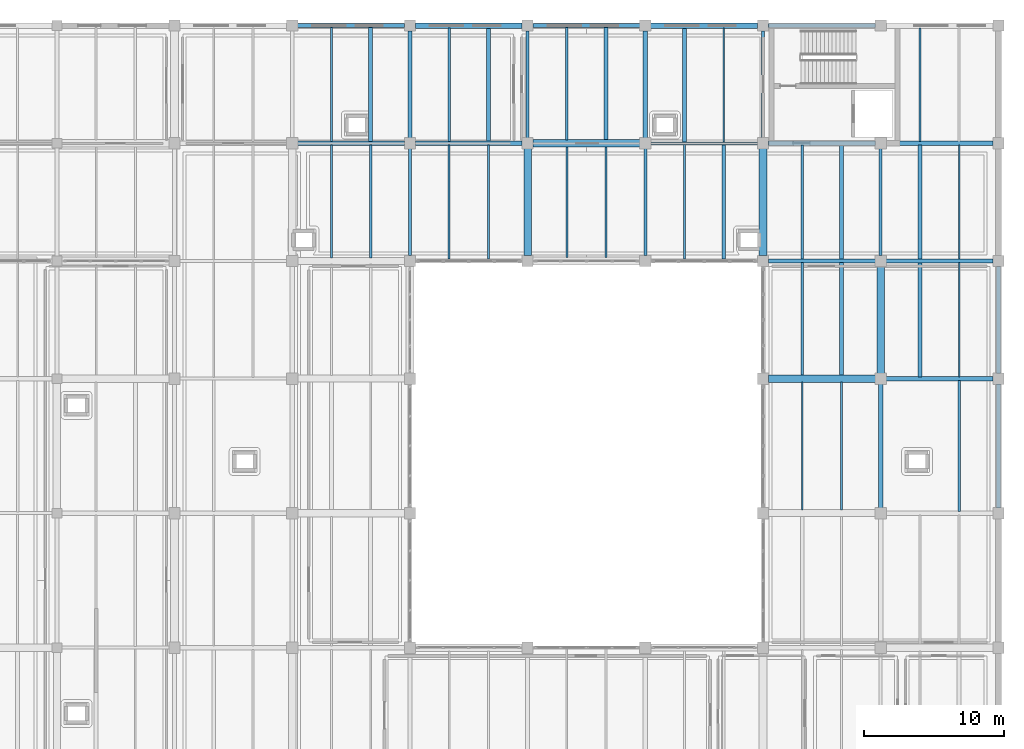
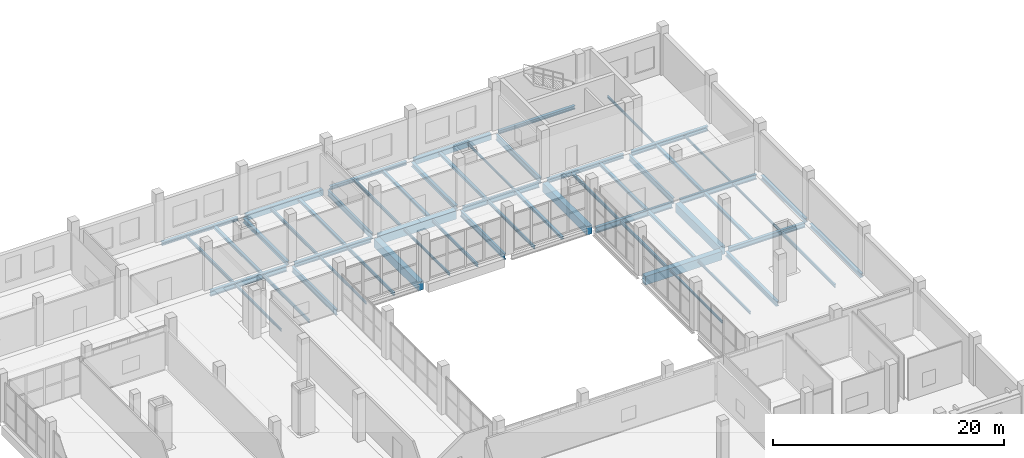
# One storey, part 46 of 73: 56 beams.
"""IFC4 building model written with IfcOpenShell, lengths in metres."""

from ifc_helpers import new_model, si_unit, direction, frame, origin, origin_2d, place, context, subcontext, project, spatial, rectangle, i_section, extrude, material, material_profile, profile_set, type_object, element, save


model = new_model("IFC4")

# Units and contexts
model_context = context("Model", 3, precision=1e-05, world=origin(), true_north=direction((0.0, 1.0)))
body_context = subcontext(model_context, "Body", "Model", "MODEL_VIEW")
ifc_project = project(units=[si_unit("LENGTHUNIT", "METRE"), si_unit("AREAUNIT", "SQUARE_METRE"), si_unit("VOLUMEUNIT", "CUBIC_METRE"), si_unit("PLANEANGLEUNIT", "RADIAN"), si_unit("MASSUNIT", "GRAM", prefix="KILO")], contexts=[model_context])

# Site, building, storey
site_placement = place(None, origin())
site = spatial("IfcSite", under=ifc_project, at=site_placement, CompositionType="ELEMENT")
building_placement = place(site_placement, origin())
building = spatial("IfcBuilding", under=site, at=building_placement, Name="Zulmaris Art Gallery", CompositionType="ELEMENT")
storey_placement = place(building_placement, frame((0.0, 0.0, 10.5)))
storey = spatial("IfcBuildingStorey", under=building, at=storey_placement, Name="L02", CompositionType="ELEMENT", Elevation=10.5)

# Beams
ifc_material_1 = material(Name="Steel S355J2", Category="steel")
ifc_material_profile_1 = material_profile(ifc_material_1, i_section(OverallWidth=0.219970703125, OverallDepth=0.60009765625, WebThickness=0.011962890625, FlangeThickness=0.01904296875, FilletRadius=0.02392578125, at=origin_2d()), Name="IPE 600")
ifc_profile_set_1 = profile_set([ifc_material_profile_1], Name="Steel S355J2")
beam_type_1 = type_object("IfcBeamType", Name="BEAM-BM07", PredefinedType="BEAM", material=ifc_profile_set_1)
beam_1_placement = place(storey_placement, frame((175.5849609375, 67.199951171875, -0.699951171875), z_axis=(1.0, 0.0, 0.0), x_axis=(0.0, 1.0, 0.0)))
element("IfcBeam", 1, at=beam_1_placement, inside=storey, type_object=beam_type_1, Name="L02 X-girder (175.2..183.6, y=67.2)", PredefinedType="BEAM", context=body_context, shape_type="SweptSolid", body=[
    extrude(i_section(OverallWidth=0.219970703125, OverallDepth=0.60009765625, WebThickness=0.011962890625, FlangeThickness=0.01904296875, FilletRadius=0.02392578125, at=origin_2d()), origin(), (0.0, 0.0, 1.0), 7.630126953125),
])
beam_2_placement = place(storey_placement, frame((158.39990234375, 59.18505859375, -0.699951171875), z_axis=(0.0, 1.0, 0.0), x_axis=(-1.0, 0.0, 0.0)))
element("IfcBeam", 2, at=beam_2_placement, inside=storey, type_object=beam_type_1, Name="L02 Y-girder (x=158.4, 58.8..67.2)", PredefinedType="BEAM", context=body_context, shape_type="SweptSolid", body=[
    extrude(i_section(OverallWidth=0.219970703125, OverallDepth=0.60009765625, WebThickness=0.011962890625, FlangeThickness=0.01904296875, FilletRadius=0.02392578125, at=origin_2d()), origin(), (0.0, 0.0, 1.0), 7.6298828125),
])
beam_3_placement = place(storey_placement, frame((166.800048828125, 67.5849609375, -0.699951171875), z_axis=(0.0, 1.0, 0.0), x_axis=(-1.0, 0.0, 0.0)))
element("IfcBeam", 3, at=beam_3_placement, inside=storey, type_object=beam_type_1, Name="L02 Y-girder (x=166.8, 67.2..75.6)", PredefinedType="BEAM", context=body_context, shape_type="SweptSolid", body=[
    extrude(i_section(OverallWidth=0.219970703125, OverallDepth=0.60009765625, WebThickness=0.011962890625, FlangeThickness=0.01904296875, FilletRadius=0.02392578125, at=origin_2d()), origin(), (0.0, 0.0, 1.0), 7.630126953125),
])
beam_4_placement = place(storey_placement, frame((175.199951171875, 59.18505859375, -0.699951171875), z_axis=(0.0, 1.0, 0.0), x_axis=(-1.0, 0.0, 0.0)))
element("IfcBeam", 4, at=beam_4_placement, inside=storey, type_object=beam_type_1, Name="L02 Y-girder (x=175.2, 58.8..67.2)", PredefinedType="BEAM", context=body_context, shape_type="SweptSolid", body=[
    extrude(i_section(OverallWidth=0.219970703125, OverallDepth=0.60009765625, WebThickness=0.011962890625, FlangeThickness=0.01904296875, FilletRadius=0.02392578125, at=origin_2d()), origin(), (0.0, 0.0, 1.0), 7.6298828125),
])
beam_5_placement = place(storey_placement, frame((183.60009765625, 67.5849609375, -0.695068359375), z_axis=(0.0, 1.0, 0.0), x_axis=(-1.0, 0.0, 0.0)))
element("IfcBeam", 5, at=beam_5_placement, inside=storey, type_object=beam_type_1, Name="L02 Y-girder (x=183.6, 67.2..75.6)", PredefinedType="BEAM", context=body_context, shape_type="SweptSolid", body=[
    extrude(i_section(OverallWidth=0.219970703125, OverallDepth=0.60009765625, WebThickness=0.011962890625, FlangeThickness=0.01904296875, FilletRadius=0.02392578125, at=origin_2d()), origin(), (0.0, 0.0, 1.0), 7.630126953125),
])
beam_6_placement = place(storey_placement, frame((192.0, 59.18505859375, -0.695068359375), z_axis=(0.0, 1.0, 0.0), x_axis=(-1.0, 0.0, 0.0)))
element("IfcBeam", 6, at=beam_6_placement, inside=storey, type_object=beam_type_1, Name="L02 Y-girder (x=192.0, 58.8..67.2)", PredefinedType="BEAM", context=body_context, shape_type="SweptSolid", body=[
    extrude(i_section(OverallWidth=0.219970703125, OverallDepth=0.60009765625, WebThickness=0.011962890625, FlangeThickness=0.01904296875, FilletRadius=0.02392578125, at=origin_2d()), origin(), (0.0, 0.0, 1.0), 7.6298828125),
])
ifc_material_profile_2 = material_profile(ifc_material_1, i_section(OverallWidth=0.300048828125, OverallDepth=0.43994140625, WebThickness=0.011474609375, FlangeThickness=0.02099609375, FilletRadius=0.027099609375, at=origin_2d()), Name="HEA 450")
ifc_profile_set_2 = profile_set([ifc_material_profile_2], Name="Steel S355J2")
beam_type_2 = type_object("IfcBeamType", Name="BEAM-BM10", PredefinedType="BEAM", material=ifc_profile_set_2)
beam_7_placement = place(storey_placement, frame((183.985107421875, 67.199951171875, -0.6201171875), z_axis=(1.0, 0.0, 0.0), x_axis=(0.0, 1.0, 0.0)))
element("IfcBeam", 7, at=beam_7_placement, inside=storey, type_object=beam_type_2, Name="L02 X-girder (183.6..192.0, y=67.2)", PredefinedType="BEAM", context=body_context, shape_type="SweptSolid", body=[
    extrude(i_section(OverallWidth=0.300048828125, OverallDepth=0.43994140625, WebThickness=0.011474609375, FlangeThickness=0.02099609375, FilletRadius=0.027099609375, at=origin_2d()), origin(), (0.0, 0.0, 1.0), 7.6298828125),
])
for number, where, z_axis, x_axis, name in (
    (8, (158.39990234375, 67.5849609375, -0.6201171875), (0.0, 1.0, 0.0), (-1.0, 0.0, 0.0), "L02 Y-girder (x=158.4, 67.2..75.6)"),
    (9, (175.199951171875, 67.5849609375, -0.6201171875), (0.0, 1.0, 0.0), (-1.0, 0.0, 0.0), "L02 Y-girder (x=175.2, 67.2..75.6)"),
):
    element("IfcBeam", number, at=place(storey_placement, frame(where, z_axis=z_axis, x_axis=x_axis)), inside=storey, type_object=beam_type_2, Name=name, PredefinedType="BEAM", context=body_context, shape_type="SweptSolid", body=[
        extrude(i_section(OverallWidth=0.300048828125, OverallDepth=0.43994140625, WebThickness=0.011474609375, FlangeThickness=0.02099609375, FilletRadius=0.027099609375, at=origin_2d()), origin(), (0.0, 0.0, 1.0), 7.630126953125),
    ])
ifc_material_profile_3 = material_profile(ifc_material_1, i_section(OverallWidth=0.300048828125, OverallDepth=0.489990234375, WebThickness=0.011962890625, FlangeThickness=0.02294921875, FilletRadius=0.027099609375, at=origin_2d()), Name="HEA 500")
ifc_profile_set_3 = profile_set([ifc_material_profile_3], Name="Steel S355J2")
beam_type_3 = type_object("IfcBeamType", Name="BEAM-BM11", PredefinedType="BEAM", material=ifc_profile_set_3)
beam_8_placement = place(storey_placement, frame((192.385009765625, 50.39990234375, -0.64501953125), z_axis=(1.0, 0.0, 0.0), x_axis=(0.0, 1.0, 0.0)))
element("IfcBeam", 10, at=beam_8_placement, inside=storey, type_object=beam_type_3, Name="L02 X-girder (192.0..200.4, y=50.4)", PredefinedType="BEAM", context=body_context, shape_type="SweptSolid", body=[
    extrude(i_section(OverallWidth=0.300048828125, OverallDepth=0.489990234375, WebThickness=0.011962890625, FlangeThickness=0.02294921875, FilletRadius=0.027099609375, at=origin_2d()), origin(), (0.0, 0.0, 1.0), 7.6298828125),
])
ifc_material_profile_4 = material_profile(ifc_material_1, i_section(OverallWidth=0.300048828125, OverallDepth=0.5, WebThickness=0.014404296875, FlangeThickness=0.028076171875, FilletRadius=0.027099609375, at=origin_2d()), Name="HEB 500")
ifc_profile_set_4 = profile_set([ifc_material_profile_4], Name="Steel S355J2")
beam_type_4 = type_object("IfcBeamType", Name="BEAM-BM14", PredefinedType="BEAM", material=ifc_profile_set_4)
beam_9_placement = place(storey_placement, frame((192.385009765625, 58.800048828125, -0.64501953125), z_axis=(1.0, 0.0, 0.0), x_axis=(0.0, 1.0, 0.0)))
element("IfcBeam", 11, at=beam_9_placement, inside=storey, type_object=beam_type_4, Name="L02 X-girder (192.0..200.4, y=58.8)", PredefinedType="BEAM", context=body_context, shape_type="SweptSolid", body=[
    extrude(i_section(OverallWidth=0.300048828125, OverallDepth=0.5, WebThickness=0.014404296875, FlangeThickness=0.028076171875, FilletRadius=0.027099609375, at=origin_2d()), origin(), (0.0, 0.0, 1.0), 7.6298828125),
])
beam_10_placement = place(storey_placement, frame((158.784912109375, 67.199951171875, -0.64501953125), z_axis=(1.0, 0.0, 0.0), x_axis=(0.0, 1.0, 0.0)))
element("IfcBeam", 12, at=beam_10_placement, inside=storey, type_object=beam_type_4, Name="L02 X-girder (158.4..166.8, y=67.2)", PredefinedType="BEAM", context=body_context, shape_type="SweptSolid", body=[
    extrude(i_section(OverallWidth=0.300048828125, OverallDepth=0.5, WebThickness=0.014404296875, FlangeThickness=0.028076171875, FilletRadius=0.027099609375, at=origin_2d()), origin(), (0.0, 0.0, 1.0), 7.630126953125),
])
beam_11_placement = place(storey_placement, frame((192.385009765625, 67.199951171875, -0.64990234375), z_axis=(1.0, 0.0, 0.0), x_axis=(0.0, 1.0, 0.0)))
element("IfcBeam", 13, at=beam_11_placement, inside=storey, type_object=beam_type_4, Name="L02 X-girder (192.0..200.4, y=67.2)", PredefinedType="BEAM", context=body_context, shape_type="SweptSolid", body=[
    extrude(i_section(OverallWidth=0.300048828125, OverallDepth=0.5, WebThickness=0.014404296875, FlangeThickness=0.028076171875, FilletRadius=0.027099609375, at=origin_2d()), origin(), (0.0, 0.0, 1.0), 7.6298828125),
])
beam_12_placement = place(storey_placement, frame((192.0, 41.18505859375, -0.64990234375), z_axis=(0.0, 1.0, 0.0), x_axis=(-1.0, 0.0, 0.0)))
element("IfcBeam", 14, at=beam_12_placement, inside=storey, type_object=beam_type_4, Name="L02 Y-girder (x=192.0, 40.8..50.4)", PredefinedType="BEAM", context=body_context, shape_type="SweptSolid", body=[
    extrude(i_section(OverallWidth=0.300048828125, OverallDepth=0.5, WebThickness=0.014404296875, FlangeThickness=0.028076171875, FilletRadius=0.027099609375, at=origin_2d()), origin(), (0.0, 0.0, 1.0), 8.829833984375),
])
ifc_material_profile_5 = material_profile(ifc_material_1, i_section(OverallWidth=0.300048828125, OverallDepth=0.60009765625, WebThickness=0.015380859375, FlangeThickness=0.030029296875, FilletRadius=0.027099609375, at=origin_2d()), Name="HEB 600")
ifc_profile_set_5 = profile_set([ifc_material_profile_5], Name="Steel S355J2")
beam_type_5 = type_object("IfcBeamType", Name="BEAM-BM15", PredefinedType="BEAM", material=ifc_profile_set_5)
for number, where, z_axis, x_axis, name in (
    (15, (183.985107421875, 58.800048828125, -0.699951171875), (1.0, 0.0, 0.0), (0.0, 1.0, 0.0), "L02 X-girder (183.6..192.0, y=58.8)"),
    (16, (150.385009765625, 67.199951171875, -0.699951171875), (1.0, 0.0, 0.0), (0.0, 1.0, 0.0), "L02 X-girder (150.0..158.4, y=67.2)"),
):
    element("IfcBeam", number, at=place(storey_placement, frame(where, z_axis=z_axis, x_axis=x_axis)), inside=storey, type_object=beam_type_5, Name=name, PredefinedType="BEAM", context=body_context, shape_type="SweptSolid", body=[
        extrude(i_section(OverallWidth=0.300048828125, OverallDepth=0.60009765625, WebThickness=0.015380859375, FlangeThickness=0.030029296875, FilletRadius=0.027099609375, at=origin_2d()), origin(), (0.0, 0.0, 1.0), 7.6298828125),
    ])
ifc_material_2 = material(Name="Concrete C40/50", Category="concrete")
ifc_material_profile_6 = material_profile(ifc_material_2, rectangle(XDim=0.550048828125, YDim=0.89990234375, at=origin_2d()), Name="RC 550x900")
ifc_profile_set_6 = profile_set([ifc_material_profile_6], Name="Concrete C40/50")
beam_type_6 = type_object("IfcBeamType", Name="BEAM-BM21", PredefinedType="BEAM", material=ifc_profile_set_6)
for number, where, z_axis, x_axis, name in (
    (17, (183.985107421875, 50.39990234375, -0.85009765625), (1.0, 0.0, 0.0), (0.0, 1.0, 0.0), "L02 X-girder (183.6..192.0, y=50.4)"),
    (18, (167.18505859375, 67.199951171875, -0.85009765625), (1.0, 0.0, 0.0), (0.0, 1.0, 0.0), "L02 X-girder (166.8..175.2, y=67.2)"),
    (19, (166.800048828125, 59.18505859375, -0.85009765625), (0.0, 1.0, 0.0), (-1.0, 0.0, 0.0), "L02 Y-girder (x=166.8, 58.8..67.2)"),
    (20, (183.60009765625, 59.18505859375, -0.85009765625), (0.0, 1.0, 0.0), (-1.0, 0.0, 0.0), "L02 Y-girder (x=183.6, 58.8..67.2)"),
):
    element("IfcBeam", number, at=place(storey_placement, frame(where, z_axis=z_axis, x_axis=x_axis)), inside=storey, type_object=beam_type_6, Name=name, PredefinedType="BEAM", context=body_context, shape_type="SweptSolid", body=[
        extrude(rectangle(XDim=0.550048828125, YDim=0.89990234375, at=origin_2d()), origin(), (0.0, 0.0, 1.0), 7.6298828125),
    ])
beam_13_placement = place(storey_placement, frame((192.0, 50.784912109375, -0.85009765625), z_axis=(0.0, 1.0, 0.0), x_axis=(-1.0, 0.0, 0.0)))
element("IfcBeam", 21, at=beam_13_placement, inside=storey, type_object=beam_type_6, Name="L02 Y-girder (x=192.0, 50.4..58.8)", PredefinedType="BEAM", context=body_context, shape_type="SweptSolid", body=[
    extrude(rectangle(XDim=0.550048828125, YDim=0.89990234375, at=origin_2d()), origin(), (0.0, 0.0, 1.0), 7.630126953125),
])
ifc_material_profile_7 = material_profile(ifc_material_1, i_section(OverallWidth=0.1201171875, OverallDepth=0.239990234375, WebThickness=0.006103515625, FlangeThickness=0.009765625, FilletRadius=0.014892578125, at=origin_2d()), Name="IPE 240")
ifc_profile_set_7 = profile_set([ifc_material_profile_7], Name="Steel S355J2")
beam_type_7 = type_object("IfcBeamType", Name="BEAM-JS01", PredefinedType="JOIST", material=ifc_profile_set_7)
beam_14_placement = place(storey_placement, frame((180.800048828125, 67.284912109375, -0.52001953125), z_axis=(0.0, 1.0, 0.0), x_axis=(-1.0, 0.0, 0.0)))
element("IfcBeam", 22, at=beam_14_placement, inside=storey, type_object=beam_type_7, Name="L02 secondary joist at x=180.8", PredefinedType="JOIST", context=body_context, shape_type="SweptSolid", body=[
    extrude(i_section(OverallWidth=0.1201171875, OverallDepth=0.239990234375, WebThickness=0.006103515625, FlangeThickness=0.009765625, FilletRadius=0.014892578125, at=origin_2d()), origin(), (0.0, 0.0, 1.0), 8.14013671875),
])
beam_15_placement = place(storey_placement, frame((186.39990234375, 41.02490234375, -0.52001953125), z_axis=(0.0, 1.0, 0.0), x_axis=(-1.0, 0.0, 0.0)))
element("IfcBeam", 23, at=beam_15_placement, inside=storey, type_object=beam_type_7, Name="L02 secondary joist at x=186.4", PredefinedType="JOIST", context=body_context, shape_type="SweptSolid", body=[
    extrude(i_section(OverallWidth=0.1201171875, OverallDepth=0.239990234375, WebThickness=0.006103515625, FlangeThickness=0.009765625, FilletRadius=0.014892578125, at=origin_2d()), origin(), (0.0, 0.0, 1.0), 9.125),
])
beam_16_placement = place(storey_placement, frame((197.60009765625, 50.52490234375, -0.52001953125), z_axis=(0.0, 1.0, 0.0), x_axis=(-1.0, 0.0, 0.0)))
element("IfcBeam", 24, at=beam_16_placement, inside=storey, type_object=beam_type_7, Name="L02 secondary joist at x=197.6", PredefinedType="JOIST", context=body_context, shape_type="SweptSolid", body=[
    extrude(i_section(OverallWidth=0.1201171875, OverallDepth=0.239990234375, WebThickness=0.006103515625, FlangeThickness=0.009765625, FilletRadius=0.014892578125, at=origin_2d()), origin(), (0.0, 0.0, 1.0), 8.150146484375),
])
beam_17_placement = place(storey_placement, frame((197.60009765625, 58.925048828125, -0.52001953125), z_axis=(0.0, 1.0, 0.0), x_axis=(-1.0, 0.0, 0.0)))
element("IfcBeam", 25, at=beam_17_placement, inside=storey, type_object=beam_type_7, Name="L02 secondary joist at x=197.6", PredefinedType="JOIST", context=body_context, shape_type="SweptSolid", body=[
    extrude(i_section(OverallWidth=0.1201171875, OverallDepth=0.239990234375, WebThickness=0.006103515625, FlangeThickness=0.009765625, FilletRadius=0.014892578125, at=origin_2d()), origin(), (0.0, 0.0, 1.0), 8.14990234375),
])
beam_18_placement = place(storey_placement, frame((194.800048828125, 67.324951171875, -0.52001953125), z_axis=(0.0, 1.0, 0.0), x_axis=(-1.0, 0.0, 0.0)))
element("IfcBeam", 26, at=beam_18_placement, inside=storey, type_object=beam_type_7, Name="L02 secondary joist at x=194.8", PredefinedType="JOIST", context=body_context, shape_type="SweptSolid", body=[
    extrude(i_section(OverallWidth=0.1201171875, OverallDepth=0.239990234375, WebThickness=0.006103515625, FlangeThickness=0.009765625, FilletRadius=0.014892578125, at=origin_2d()), origin(), (0.0, 0.0, 1.0), 8.10009765625),
])
ifc_material_profile_8 = material_profile(ifc_material_1, i_section(OverallWidth=0.135009765625, OverallDepth=0.27001953125, WebThickness=0.006591796875, FlangeThickness=0.01025390625, FilletRadius=0.014892578125, at=origin_2d()), Name="IPE 270")
ifc_profile_set_8 = profile_set([ifc_material_profile_8], Name="Steel S355J2")
beam_type_8 = type_object("IfcBeamType", Name="BEAM-JS02", PredefinedType="JOIST", material=ifc_profile_set_8)
beam_19_placement = place(storey_placement, frame((152.800048828125, 59.02490234375, -0.534912109375), z_axis=(0.0, 1.0, 0.0), x_axis=(-1.0, 0.0, 0.0)))
element("IfcBeam", 27, at=beam_19_placement, inside=storey, type_object=beam_type_8, Name="L02 secondary joist at x=152.8", PredefinedType="JOIST", context=body_context, shape_type="SweptSolid", body=[
    extrude(i_section(OverallWidth=0.135009765625, OverallDepth=0.27001953125, WebThickness=0.006591796875, FlangeThickness=0.01025390625, FilletRadius=0.014892578125, at=origin_2d()), origin(), (0.0, 0.0, 1.0), 8.050048828125),
])
beam_20_placement = place(storey_placement, frame((161.199951171875, 58.925048828125, -0.534912109375), z_axis=(0.0, 1.0, 0.0), x_axis=(-1.0, 0.0, 0.0)))
element("IfcBeam", 28, at=beam_20_placement, inside=storey, type_object=beam_type_8, Name="L02 secondary joist at x=161.2", PredefinedType="JOIST", context=body_context, shape_type="SweptSolid", body=[
    extrude(i_section(OverallWidth=0.135009765625, OverallDepth=0.27001953125, WebThickness=0.006591796875, FlangeThickness=0.01025390625, FilletRadius=0.014892578125, at=origin_2d()), origin(), (0.0, 0.0, 1.0), 8.14990234375),
])
beam_21_placement = place(storey_placement, frame((169.60009765625, 59.050048828125, -0.534912109375), z_axis=(0.0, 1.0, 0.0), x_axis=(-1.0, 0.0, 0.0)))
element("IfcBeam", 29, at=beam_21_placement, inside=storey, type_object=beam_type_8, Name="L02 secondary joist at x=169.6", PredefinedType="JOIST", context=body_context, shape_type="SweptSolid", body=[
    extrude(i_section(OverallWidth=0.135009765625, OverallDepth=0.27001953125, WebThickness=0.006591796875, FlangeThickness=0.01025390625, FilletRadius=0.014892578125, at=origin_2d()), origin(), (0.0, 0.0, 1.0), 7.89990234375),
])
beam_22_placement = place(storey_placement, frame((189.199951171875, 41.02490234375, -0.534912109375), z_axis=(0.0, 1.0, 0.0), x_axis=(-1.0, 0.0, 0.0)))
element("IfcBeam", 30, at=beam_22_placement, inside=storey, type_object=beam_type_8, Name="L02 secondary joist at x=189.2", PredefinedType="JOIST", context=body_context, shape_type="SweptSolid", body=[
    extrude(i_section(OverallWidth=0.135009765625, OverallDepth=0.27001953125, WebThickness=0.006591796875, FlangeThickness=0.01025390625, FilletRadius=0.014892578125, at=origin_2d()), origin(), (0.0, 0.0, 1.0), 9.125),
])
ifc_material_profile_9 = material_profile(ifc_material_1, i_section(OverallWidth=0.159912109375, OverallDepth=0.330078125, WebThickness=0.007568359375, FlangeThickness=0.011474609375, FilletRadius=0.01806640625, at=origin_2d()), Name="IPE 330")
ifc_profile_set_9 = profile_set([ifc_material_profile_9], Name="Steel S355J2")
beam_type_9 = type_object("IfcBeamType", Name="BEAM-JS03", PredefinedType="JOIST", material=ifc_profile_set_9)
beam_23_placement = place(storey_placement, frame((155.60009765625, 59.02490234375, -0.56494140625), z_axis=(0.0, 1.0, 0.0), x_axis=(-1.0, 0.0, 0.0)))
element("IfcBeam", 31, at=beam_23_placement, inside=storey, type_object=beam_type_9, Name="L02 secondary joist at x=155.6", PredefinedType="JOIST", context=body_context, shape_type="SweptSolid", body=[
    extrude(i_section(OverallWidth=0.159912109375, OverallDepth=0.330078125, WebThickness=0.007568359375, FlangeThickness=0.011474609375, FilletRadius=0.01806640625, at=origin_2d()), origin(), (0.0, 0.0, 1.0), 8.050048828125),
])
beam_24_placement = place(storey_placement, frame((152.800048828125, 67.324951171875, -0.56494140625), z_axis=(0.0, 1.0, 0.0), x_axis=(-1.0, 0.0, 0.0)))
element("IfcBeam", 32, at=beam_24_placement, inside=storey, type_object=beam_type_9, Name="L02 secondary joist at x=152.8", PredefinedType="JOIST", context=body_context, shape_type="SweptSolid", body=[
    extrude(i_section(OverallWidth=0.159912109375, OverallDepth=0.330078125, WebThickness=0.007568359375, FlangeThickness=0.011474609375, FilletRadius=0.01806640625, at=origin_2d()), origin(), (0.0, 0.0, 1.0), 8.150146484375),
])
beam_25_placement = place(storey_placement, frame((164.0, 58.925048828125, -0.56494140625), z_axis=(0.0, 1.0, 0.0), x_axis=(-1.0, 0.0, 0.0)))
element("IfcBeam", 33, at=beam_25_placement, inside=storey, type_object=beam_type_9, Name="L02 secondary joist at x=164.0", PredefinedType="JOIST", context=body_context, shape_type="SweptSolid", body=[
    extrude(i_section(OverallWidth=0.159912109375, OverallDepth=0.330078125, WebThickness=0.007568359375, FlangeThickness=0.011474609375, FilletRadius=0.01806640625, at=origin_2d()), origin(), (0.0, 0.0, 1.0), 8.14990234375),
])
beam_26_placement = place(storey_placement, frame((161.199951171875, 67.324951171875, -0.56494140625), z_axis=(0.0, 1.0, 0.0), x_axis=(-1.0, 0.0, 0.0)))
element("IfcBeam", 34, at=beam_26_placement, inside=storey, type_object=beam_type_9, Name="L02 secondary joist at x=161.2", PredefinedType="JOIST", context=body_context, shape_type="SweptSolid", body=[
    extrude(i_section(OverallWidth=0.159912109375, OverallDepth=0.330078125, WebThickness=0.007568359375, FlangeThickness=0.011474609375, FilletRadius=0.01806640625, at=origin_2d()), origin(), (0.0, 0.0, 1.0), 8.10009765625),
])
beam_27_placement = place(storey_placement, frame((172.39990234375, 59.050048828125, -0.56494140625), z_axis=(0.0, 1.0, 0.0), x_axis=(-1.0, 0.0, 0.0)))
element("IfcBeam", 35, at=beam_27_placement, inside=storey, type_object=beam_type_9, Name="L02 secondary joist at x=172.4", PredefinedType="JOIST", context=body_context, shape_type="SweptSolid", body=[
    extrude(i_section(OverallWidth=0.159912109375, OverallDepth=0.330078125, WebThickness=0.007568359375, FlangeThickness=0.011474609375, FilletRadius=0.01806640625, at=origin_2d()), origin(), (0.0, 0.0, 1.0), 7.89990234375),
])
beam_28_placement = place(storey_placement, frame((169.60009765625, 67.449951171875, -0.56494140625), z_axis=(0.0, 1.0, 0.0), x_axis=(-1.0, 0.0, 0.0)))
element("IfcBeam", 36, at=beam_28_placement, inside=storey, type_object=beam_type_9, Name="L02 secondary joist at x=169.6", PredefinedType="JOIST", context=body_context, shape_type="SweptSolid", body=[
    extrude(i_section(OverallWidth=0.159912109375, OverallDepth=0.330078125, WebThickness=0.007568359375, FlangeThickness=0.011474609375, FilletRadius=0.01806640625, at=origin_2d()), origin(), (0.0, 0.0, 1.0), 8.025146484375),
])
beam_29_placement = place(storey_placement, frame((178.0, 58.925048828125, -0.56494140625), z_axis=(0.0, 1.0, 0.0), x_axis=(-1.0, 0.0, 0.0)))
element("IfcBeam", 37, at=beam_29_placement, inside=storey, type_object=beam_type_9, Name="L02 secondary joist at x=178.0", PredefinedType="JOIST", context=body_context, shape_type="SweptSolid", body=[
    extrude(i_section(OverallWidth=0.159912109375, OverallDepth=0.330078125, WebThickness=0.007568359375, FlangeThickness=0.011474609375, FilletRadius=0.01806640625, at=origin_2d()), origin(), (0.0, 0.0, 1.0), 8.18994140625),
])
beam_30_placement = place(storey_placement, frame((186.39990234375, 50.64990234375, -0.56494140625), z_axis=(0.0, 1.0, 0.0), x_axis=(-1.0, 0.0, 0.0)))
element("IfcBeam", 38, at=beam_30_placement, inside=storey, type_object=beam_type_9, Name="L02 secondary joist at x=186.4", PredefinedType="JOIST", context=body_context, shape_type="SweptSolid", body=[
    extrude(i_section(OverallWidth=0.159912109375, OverallDepth=0.330078125, WebThickness=0.007568359375, FlangeThickness=0.011474609375, FilletRadius=0.01806640625, at=origin_2d()), origin(), (0.0, 0.0, 1.0), 8.025146484375),
])
beam_31_placement = place(storey_placement, frame((186.39990234375, 58.925048828125, -0.56494140625), z_axis=(0.0, 1.0, 0.0), x_axis=(-1.0, 0.0, 0.0)))
element("IfcBeam", 39, at=beam_31_placement, inside=storey, type_object=beam_type_9, Name="L02 secondary joist at x=186.4", PredefinedType="JOIST", context=body_context, shape_type="SweptSolid", body=[
    extrude(i_section(OverallWidth=0.159912109375, OverallDepth=0.330078125, WebThickness=0.007568359375, FlangeThickness=0.011474609375, FilletRadius=0.01806640625, at=origin_2d()), origin(), (0.0, 0.0, 1.0), 8.14990234375),
])
beam_32_placement = place(storey_placement, frame((197.60009765625, 40.925048828125, -0.56494140625), z_axis=(0.0, 1.0, 0.0), x_axis=(-1.0, 0.0, 0.0)))
element("IfcBeam", 40, at=beam_32_placement, inside=storey, type_object=beam_type_9, Name="L02 secondary joist at x=197.6", PredefinedType="JOIST", context=body_context, shape_type="SweptSolid", body=[
    extrude(i_section(OverallWidth=0.159912109375, OverallDepth=0.330078125, WebThickness=0.007568359375, FlangeThickness=0.011474609375, FilletRadius=0.01806640625, at=origin_2d()), origin(), (0.0, 0.0, 1.0), 9.349853515625),
])
ifc_material_profile_10 = material_profile(ifc_material_1, i_section(OverallWidth=0.280029296875, OverallDepth=0.27001953125, WebThickness=0.008056640625, FlangeThickness=0.012939453125, FilletRadius=0.02392578125, at=origin_2d()), Name="HEA 280")
ifc_profile_set_10 = profile_set([ifc_material_profile_10], Name="Steel S355J2")
beam_type_10 = type_object("IfcBeamType", Name="BEAM-JS04", PredefinedType="JOIST", material=ifc_profile_set_10)
beam_33_placement = place(storey_placement, frame((155.60009765625, 67.324951171875, -0.534912109375), z_axis=(0.0, 1.0, 0.0), x_axis=(-1.0, 0.0, 0.0)))
element("IfcBeam", 41, at=beam_33_placement, inside=storey, type_object=beam_type_10, Name="L02 secondary joist at x=155.6", PredefinedType="JOIST", context=body_context, shape_type="SweptSolid", body=[
    extrude(i_section(OverallWidth=0.280029296875, OverallDepth=0.27001953125, WebThickness=0.008056640625, FlangeThickness=0.012939453125, FilletRadius=0.02392578125, at=origin_2d()), origin(), (0.0, 0.0, 1.0), 8.150146484375),
])
beam_34_placement = place(storey_placement, frame((164.0, 67.324951171875, -0.534912109375), z_axis=(0.0, 1.0, 0.0), x_axis=(-1.0, 0.0, 0.0)))
element("IfcBeam", 42, at=beam_34_placement, inside=storey, type_object=beam_type_10, Name="L02 secondary joist at x=164.0", PredefinedType="JOIST", context=body_context, shape_type="SweptSolid", body=[
    extrude(i_section(OverallWidth=0.280029296875, OverallDepth=0.27001953125, WebThickness=0.008056640625, FlangeThickness=0.012939453125, FilletRadius=0.02392578125, at=origin_2d()), origin(), (0.0, 0.0, 1.0), 8.10009765625),
])
beam_35_placement = place(storey_placement, frame((172.39990234375, 67.449951171875, -0.534912109375), z_axis=(0.0, 1.0, 0.0), x_axis=(-1.0, 0.0, 0.0)))
element("IfcBeam", 43, at=beam_35_placement, inside=storey, type_object=beam_type_10, Name="L02 secondary joist at x=172.4", PredefinedType="JOIST", context=body_context, shape_type="SweptSolid", body=[
    extrude(i_section(OverallWidth=0.280029296875, OverallDepth=0.27001953125, WebThickness=0.008056640625, FlangeThickness=0.012939453125, FilletRadius=0.02392578125, at=origin_2d()), origin(), (0.0, 0.0, 1.0), 8.025146484375),
])
beam_36_placement = place(storey_placement, frame((180.800048828125, 58.925048828125, -0.534912109375), z_axis=(0.0, 1.0, 0.0), x_axis=(-1.0, 0.0, 0.0)))
element("IfcBeam", 44, at=beam_36_placement, inside=storey, type_object=beam_type_10, Name="L02 secondary joist at x=180.8", PredefinedType="JOIST", context=body_context, shape_type="SweptSolid", body=[
    extrude(i_section(OverallWidth=0.280029296875, OverallDepth=0.27001953125, WebThickness=0.008056640625, FlangeThickness=0.012939453125, FilletRadius=0.02392578125, at=origin_2d()), origin(), (0.0, 0.0, 1.0), 8.18994140625),
])
beam_37_placement = place(storey_placement, frame((178.0, 67.284912109375, -0.534912109375), z_axis=(0.0, 1.0, 0.0), x_axis=(-1.0, 0.0, 0.0)))
element("IfcBeam", 45, at=beam_37_placement, inside=storey, type_object=beam_type_10, Name="L02 secondary joist at x=178.0", PredefinedType="JOIST", context=body_context, shape_type="SweptSolid", body=[
    extrude(i_section(OverallWidth=0.280029296875, OverallDepth=0.27001953125, WebThickness=0.008056640625, FlangeThickness=0.012939453125, FilletRadius=0.02392578125, at=origin_2d()), origin(), (0.0, 0.0, 1.0), 8.14013671875),
])
beam_38_placement = place(storey_placement, frame((189.199951171875, 50.64990234375, -0.534912109375), z_axis=(0.0, 1.0, 0.0), x_axis=(-1.0, 0.0, 0.0)))
element("IfcBeam", 46, at=beam_38_placement, inside=storey, type_object=beam_type_10, Name="L02 secondary joist at x=189.2", PredefinedType="JOIST", context=body_context, shape_type="SweptSolid", body=[
    extrude(i_section(OverallWidth=0.280029296875, OverallDepth=0.27001953125, WebThickness=0.008056640625, FlangeThickness=0.012939453125, FilletRadius=0.02392578125, at=origin_2d()), origin(), (0.0, 0.0, 1.0), 8.025146484375),
])
beam_39_placement = place(storey_placement, frame((189.199951171875, 58.925048828125, -0.534912109375), z_axis=(0.0, 1.0, 0.0), x_axis=(-1.0, 0.0, 0.0)))
element("IfcBeam", 47, at=beam_39_placement, inside=storey, type_object=beam_type_10, Name="L02 secondary joist at x=189.2", PredefinedType="JOIST", context=body_context, shape_type="SweptSolid", body=[
    extrude(i_section(OverallWidth=0.280029296875, OverallDepth=0.27001953125, WebThickness=0.008056640625, FlangeThickness=0.012939453125, FilletRadius=0.02392578125, at=origin_2d()), origin(), (0.0, 0.0, 1.0), 8.14990234375),
])
beam_40_placement = place(storey_placement, frame((194.800048828125, 50.52490234375, -0.534912109375), z_axis=(0.0, 1.0, 0.0), x_axis=(-1.0, 0.0, 0.0)))
element("IfcBeam", 48, at=beam_40_placement, inside=storey, type_object=beam_type_10, Name="L02 secondary joist at x=194.8", PredefinedType="JOIST", context=body_context, shape_type="SweptSolid", body=[
    extrude(i_section(OverallWidth=0.280029296875, OverallDepth=0.27001953125, WebThickness=0.008056640625, FlangeThickness=0.012939453125, FilletRadius=0.02392578125, at=origin_2d()), origin(), (0.0, 0.0, 1.0), 8.150146484375),
])
beam_41_placement = place(storey_placement, frame((194.800048828125, 58.925048828125, -0.534912109375), z_axis=(0.0, 1.0, 0.0), x_axis=(-1.0, 0.0, 0.0)))
element("IfcBeam", 49, at=beam_41_placement, inside=storey, type_object=beam_type_10, Name="L02 secondary joist at x=194.8", PredefinedType="JOIST", context=body_context, shape_type="SweptSolid", body=[
    extrude(i_section(OverallWidth=0.280029296875, OverallDepth=0.27001953125, WebThickness=0.008056640625, FlangeThickness=0.012939453125, FilletRadius=0.02392578125, at=origin_2d()), origin(), (0.0, 0.0, 1.0), 8.14990234375),
])
ifc_material_profile_11 = material_profile(ifc_material_1, i_section(OverallWidth=0.300048828125, OverallDepth=0.35009765625, WebThickness=0.010009765625, FlangeThickness=0.017578125, FilletRadius=0.027099609375, at=origin_2d()), Name="HEA 360")
ifc_profile_set_11 = profile_set([ifc_material_profile_11], Name="Steel S355J2")
beam_type_11 = type_object("IfcBeamType", Name="BEAM-SP01", PredefinedType="SPANDREL", material=ifc_profile_set_11)
for number, where, z_axis, x_axis, name in (
    (50, (150.385009765625, 75.60009765625, -0.574951171875), (1.0, 0.0, 0.0), (0.0, 1.0, 0.0), "L02 X-girder (150.0..158.4, y=75.6)"),
    (51, (167.18505859375, 75.60009765625, -0.574951171875), (1.0, 0.0, 0.0), (0.0, 1.0, 0.0), "L02 X-girder (166.8..175.2, y=75.6)"),
    (52, (183.985107421875, 75.60009765625, -0.574951171875), (1.0, 0.0, 0.0), (0.0, 1.0, 0.0), "L02 X-girder (183.6..192.0, y=75.6)"),
):
    element("IfcBeam", number, at=place(storey_placement, frame(where, z_axis=z_axis, x_axis=x_axis)), inside=storey, type_object=beam_type_11, Name=name, PredefinedType="SPANDREL", context=body_context, shape_type="SweptSolid", body=[
        extrude(i_section(OverallWidth=0.300048828125, OverallDepth=0.35009765625, WebThickness=0.010009765625, FlangeThickness=0.017578125, FilletRadius=0.027099609375, at=origin_2d()), origin(), (0.0, 0.0, 1.0), 7.6298828125),
    ])
ifc_material_profile_12 = material_profile(ifc_material_1, i_section(OverallWidth=0.300048828125, OverallDepth=0.39990234375, WebThickness=0.013427734375, FlangeThickness=0.02392578125, FilletRadius=0.027099609375, at=origin_2d()), Name="HEB 400")
ifc_profile_set_12 = profile_set([ifc_material_profile_12], Name="Steel S355J2")
beam_type_12 = type_object("IfcBeamType", Name="BEAM-SP02", PredefinedType="SPANDREL", material=ifc_profile_set_12)
beam_42_placement = place(storey_placement, frame((200.39990234375, 41.18505859375, -0.60009765625), z_axis=(0.0, 1.0, 0.0), x_axis=(-1.0, 0.0, 0.0)))
element("IfcBeam", 53, at=beam_42_placement, inside=storey, type_object=beam_type_12, Name="L02 Y-girder (x=200.4, 40.8..50.4)", PredefinedType="SPANDREL", context=body_context, shape_type="SweptSolid", body=[
    extrude(i_section(OverallWidth=0.300048828125, OverallDepth=0.39990234375, WebThickness=0.013427734375, FlangeThickness=0.02392578125, FilletRadius=0.027099609375, at=origin_2d()), origin(), (0.0, 0.0, 1.0), 8.829833984375),
])
beam_43_placement = place(storey_placement, frame((200.39990234375, 50.784912109375, -0.60009765625), z_axis=(0.0, 1.0, 0.0), x_axis=(-1.0, 0.0, 0.0)))
element("IfcBeam", 54, at=beam_43_placement, inside=storey, type_object=beam_type_12, Name="L02 Y-girder (x=200.4, 50.4..58.8)", PredefinedType="SPANDREL", context=body_context, shape_type="SweptSolid", body=[
    extrude(i_section(OverallWidth=0.300048828125, OverallDepth=0.39990234375, WebThickness=0.013427734375, FlangeThickness=0.02392578125, FilletRadius=0.027099609375, at=origin_2d()), origin(), (0.0, 0.0, 1.0), 7.630126953125),
])
ifc_material_profile_13 = material_profile(ifc_material_2, rectangle(XDim=0.39990234375, YDim=0.60009765625, at=origin_2d()), Name="RC 400x600")
ifc_profile_set_13 = profile_set([ifc_material_profile_13], Name="Concrete C40/50")
beam_type_13 = type_object("IfcBeamType", Name="BEAM-SP03", PredefinedType="SPANDREL", material=ifc_profile_set_13)
for number, where, z_axis, x_axis, name in (
    (55, (158.784912109375, 75.60009765625, -0.699951171875), (1.0, 0.0, 0.0), (0.0, 1.0, 0.0), "L02 X-girder (158.4..166.8, y=75.6)"),
    (56, (175.5849609375, 75.60009765625, -0.699951171875), (1.0, 0.0, 0.0), (0.0, 1.0, 0.0), "L02 X-girder (175.2..183.6, y=75.6)"),
):
    element("IfcBeam", number, at=place(storey_placement, frame(where, z_axis=z_axis, x_axis=x_axis)), inside=storey, type_object=beam_type_13, Name=name, PredefinedType="SPANDREL", context=body_context, shape_type="SweptSolid", body=[
        extrude(rectangle(XDim=0.39990234375, YDim=0.60009765625, at=origin_2d()), origin(), (0.0, 0.0, 1.0), 7.630126953125),
    ])

save(model, "model.ifc")
